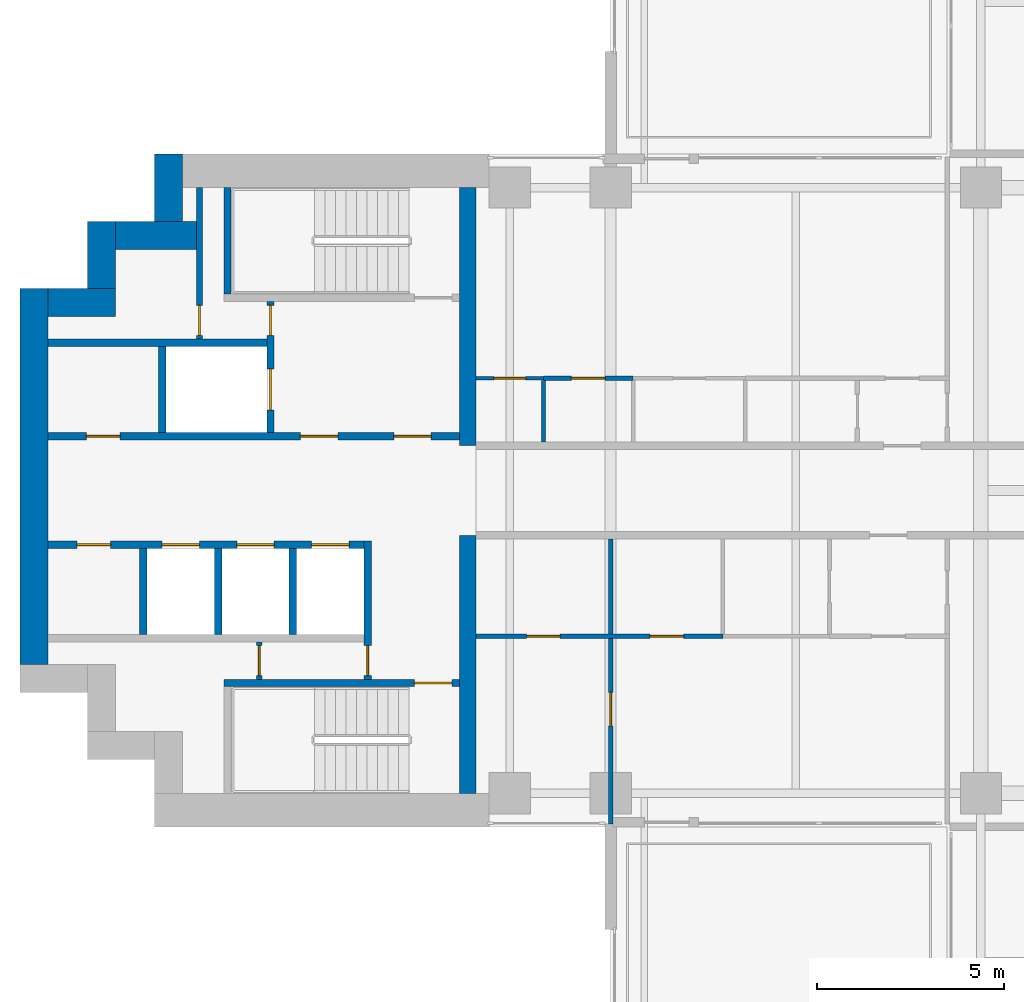
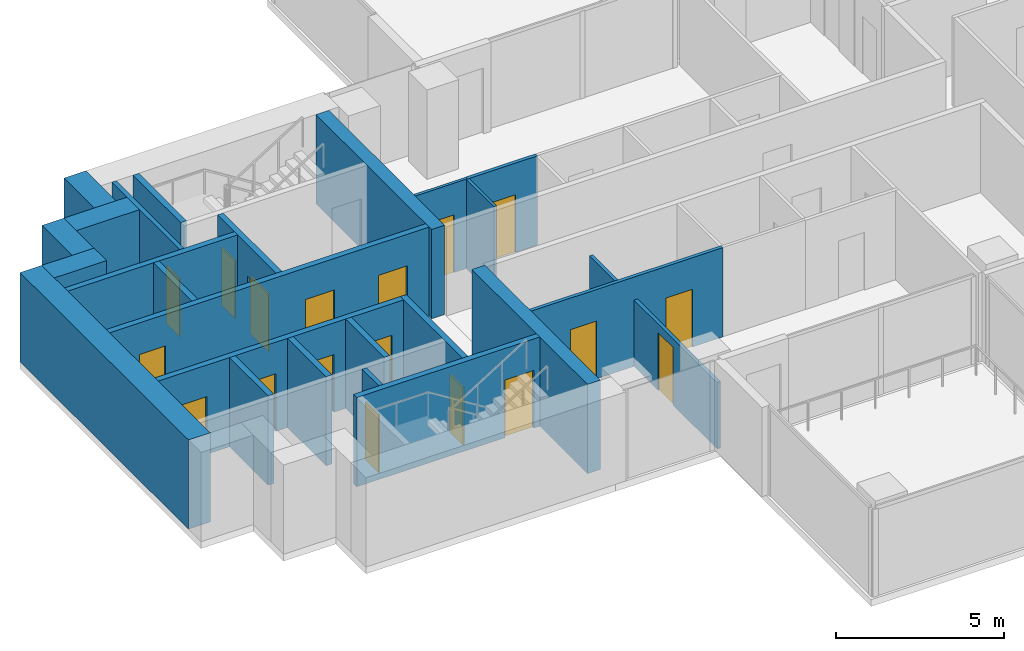
# One storey, part 9 of 18: 25 walls, 18 doors, 18 openings.
"""IFC4 building model written with IfcOpenShell, lengths in metres."""

import ifcopenshell
import ifcopenshell.guid

model = None  # the IFC model being written
_history = None  # IfcOwnerHistory: only IFC2X3 demands one
_inside = {}  # id of a spatial element -> (the spatial element, [elements in it])
_under = {}  # id of a project, library or spatial element -> (it, [spatial elements below it])
_declared = {}  # id of a project -> (the project, [libraries it declares])
_typed = {}  # id of a type object -> (the type object, [elements of that type])
_made_of = {}  # id of a material, layer set ... -> (it, [elements and type objects made of it])


def new_model(schema):
    """Start an empty IFC model of exactly this schema.

    Asked for "IFC4X3", IfcOpenShell would pick the latest addendum, in which some entities
    have other attributes; the version numbers below select the first issue.
    IFC2X3 requires an IfcOwnerHistory on every rooted entity: one is made here for all.
    """
    global model, _history
    if schema == "IFC4X3":
        model = ifcopenshell.file(schema_version=(4, 3, 0, 0))
    else:
        model = ifcopenshell.file(schema=schema)
    _inside.clear()
    _under.clear()
    _declared.clear()
    _typed.clear()
    _made_of.clear()
    _history = None
    if model.schema == "IFC2X3":
        org = make("IfcOrganization", Name="unknown")
        user = make(
            "IfcPersonAndOrganization",
            ThePerson=make("IfcPerson", FamilyName="unknown"),
            TheOrganization=org,
        )
        app = make(
            "IfcApplication",
            ApplicationDeveloper=org,
            Version="unknown",
            ApplicationFullName="unknown",
            ApplicationIdentifier="unknown",
        )
        _history = make(
            "IfcOwnerHistory",
            OwningUser=user,
            OwningApplication=app,
            ChangeAction="ADDED",
            CreationDate=0,
        )
    return model


def make(cls, **values):
    """One entity of the class cls with the attributes given. An attribute that is None is left unset."""
    return model.create_entity(
        cls, **{name: value for name, value in values.items() if value is not None}
    )


def rooted(cls, **values):
    """An entity with a GlobalId (a new one), such as an element, a storey or a relation."""
    return make(cls, GlobalId=ifcopenshell.guid.new(), OwnerHistory=_history, **values)


def si_unit(unit_type, name, prefix=None):
    """IfcSIUnit, for example si_unit("LENGTHUNIT", "METRE", prefix="MILLI")."""
    return make("IfcSIUnit", UnitType=unit_type, Prefix=prefix, Name=name)


def assignment(units):
    """IfcUnitAssignment: the units of a project."""
    return None if units is None else make("IfcUnitAssignment", Units=units)


def point(xyz):
    """IfcCartesianPoint."""
    return None if xyz is None else make("IfcCartesianPoint", Coordinates=xyz)


def direction(xyz):
    """IfcDirection."""
    return None if xyz is None else make("IfcDirection", DirectionRatios=xyz)


def frame(location, z_axis=None, x_axis=None):
    """IfcAxis2Placement3D, a coordinate frame: its origin and axes. An axis left out is left unset."""
    return make(
        "IfcAxis2Placement3D",
        Location=point(location),
        Axis=direction(z_axis),
        RefDirection=direction(x_axis),
    )


def frame_2d(location, x_axis=None):
    """IfcAxis2Placement2D, a coordinate frame in the plane: its origin and x axis."""
    return make(
        "IfcAxis2Placement2D", Location=point(location), RefDirection=direction(x_axis)
    )


def origin():
    """The frame at (0, 0, 0) with its axes left unset."""
    return frame((0.0, 0.0, 0.0))


def place(relative_to, where):
    """IfcLocalPlacement: puts the frame where relative to a parent placement (None: the world)."""
    return make(
        "IfcLocalPlacement", PlacementRelTo=relative_to, RelativePlacement=where
    )


def context(
    kind, dimensions, precision=None, world=None, true_north=None, identifier=None
):
    """IfcGeometricRepresentationContext, for example the 3D "Model" context."""
    return make(
        "IfcGeometricRepresentationContext",
        ContextIdentifier=identifier,
        ContextType=kind,
        CoordinateSpaceDimension=dimensions,
        Precision=precision,
        WorldCoordinateSystem=world,
        TrueNorth=true_north,
    )


def subcontext(parent, identifier, kind, view, scale=None):
    """IfcGeometricRepresentationSubContext, for example "Body" below "Model"."""
    return make(
        "IfcGeometricRepresentationSubContext",
        ContextIdentifier=identifier,
        ContextType=kind,
        ParentContext=parent,
        TargetScale=scale,
        TargetView=view,
    )


def project(units=None, contexts=None):
    """IfcProject with its units and contexts."""
    return rooted(
        "IfcProject",
        Name="project",
        RepresentationContexts=contexts,
        UnitsInContext=assignment(units),
    )


def spatial(cls, under=None, at=None, **own):
    """A site, building, storey or space (cls), placed at a placement, below another one or the project."""
    s = rooted(cls, ObjectPlacement=at, **own)
    if under is not None:
        _under.setdefault(under.id(), (under, []))[1].append(s)
    return s


def profile(cls, at=None, kind="AREA", **sizes):
    """A parametric profile (cls). Its sizes go by their IFC names, for example OverallWidth=200.0."""
    return make(cls, ProfileType=kind, Position=at, **sizes)


def rectangle(**sizes):
    """IfcRectangleProfileDef."""
    return profile("IfcRectangleProfileDef", **sizes)


def extrude(swept, where, along, depth):
    """IfcExtrudedAreaSolid: the profile swept, set in the frame where, extruded along a direction by depth."""
    return make(
        "IfcExtrudedAreaSolid",
        SweptArea=swept,
        Position=where,
        ExtrudedDirection=direction(along),
        Depth=depth,
    )


def shape(context_of_items, identifier, shape_type, items):
    """IfcShapeRepresentation: the items that make up one representation, for example the "Body"."""
    return make(
        "IfcShapeRepresentation",
        ContextOfItems=context_of_items,
        RepresentationIdentifier=identifier,
        RepresentationType=shape_type,
        Items=items,
    )


def material(Name=None, Category=None):
    """IfcMaterial."""
    return make("IfcMaterial", Name=Name, Category=Category)


def layer(
    of_material, thickness, ventilated=None, Name=None, Category=None, Priority=None
):
    """IfcMaterialLayer: one layer of a wall or slab, of a material (None: an air gap)."""
    return make(
        "IfcMaterialLayer",
        Material=of_material,
        LayerThickness=thickness,
        IsVentilated=ventilated,
        Name=Name,
        Category=Category,
        Priority=Priority,
    )


def layer_set(layers, Name=None):
    """IfcMaterialLayerSet."""
    return make("IfcMaterialLayerSet", MaterialLayers=layers, LayerSetName=Name)


def made_of(thing, what):
    """Note that an element or type object is made of a material, layer set ...; save() writes the relation."""
    if what is not None:
        _made_of.setdefault(what.id(), (what, []))[1].append(thing)
    return thing


def type_object(cls, material=None, **own):
    """A type object (cls), such as IfcWallType, which elements share."""
    return made_of(rooted(cls, **own), material)


def element(
    cls,
    number,
    at=None,
    inside=None,
    cuts=None,
    type_object=None,
    material=None,
    context=None,
    identifier="Body",
    shape_type=None,
    held_by="IfcProductDefinitionShape",
    body=None,
    shapes=None,
    **own,
):
    """One element of the class cls, such as IfcWall. Its Tag is "e" and its number.

    at: its placement. inside: the storey or other place that contains it. cuts: it is an
    opening in that element (IfcRelVoidsElement). A single representation is given by context,
    identifier, shape_type and body (its items); several are given by shapes. held_by: the class
    of the entity that holds the representations. save() writes the other relations.
    """
    e = rooted(cls, Tag="e%d" % number, ObjectPlacement=at, **own)
    if body is not None:
        shapes = [shape(context, identifier, shape_type, body)]
    if shapes is not None:
        e.Representation = make(held_by, Representations=shapes)
    if inside is not None:
        _inside.setdefault(inside.id(), (inside, []))[1].append(e)
    if cuts is not None:
        rooted(
            "IfcRelVoidsElement", RelatingBuildingElement=cuts, RelatedOpeningElement=e
        )
    if type_object is not None:
        _typed.setdefault(type_object.id(), (type_object, []))[1].append(e)
    return made_of(e, material)


def fill(opening, filler):
    """IfcRelFillsElement: the door or window that sits in an opening."""
    return rooted(
        "IfcRelFillsElement",
        RelatingOpeningElement=opening,
        RelatedBuildingElement=filler,
    )


def aggregate(whole, parts):
    """IfcRelAggregates: a whole, such as a stair, and the parts it consists of."""
    return rooted("IfcRelAggregates", RelatingObject=whole, RelatedObjects=parts)


def save(model, path):
    """Write the relations noted so far, then the file.

    IfcRelAggregates (storeys below a building ...), IfcRelContainedInSpatialStructure (elements
    in a storey), IfcRelDefinesByType, IfcRelAssociatesMaterial and IfcRelDeclares: one each for
    every whole, place, type object, material and project.
    """
    for whole, parts in _under.values():
        aggregate(whole, parts)
    for where, things in _inside.values():
        rooted(
            "IfcRelContainedInSpatialStructure",
            RelatedElements=things,
            RelatingStructure=where,
        )
    for kind, things in _typed.values():
        rooted("IfcRelDefinesByType", RelatedObjects=things, RelatingType=kind)
    for what, things in _made_of.values():
        rooted("IfcRelAssociatesMaterial", RelatedObjects=things, RelatingMaterial=what)
    for by, libraries in _declared.values():
        rooted("IfcRelDeclares", RelatingContext=by, RelatedDefinitions=libraries)
    model.write(path)


model = new_model("IFC4")

# Units and contexts
model_context = context("Model", 3, precision=1e-05, world=origin(), true_north=direction((0.0, 1.0)))
body_context = subcontext(model_context, "Body", "Model", "MODEL_VIEW")
ifc_project = project(units=[si_unit("LENGTHUNIT", "METRE"), si_unit("AREAUNIT", "SQUARE_METRE"), si_unit("VOLUMEUNIT", "CUBIC_METRE"), si_unit("PLANEANGLEUNIT", "RADIAN"), si_unit("MASSUNIT", "GRAM", prefix="KILO")], contexts=[model_context])

# Site, building, storey
site_placement = place(None, origin())
site = spatial("IfcSite", under=ifc_project, at=site_placement, CompositionType="ELEMENT")
building_placement = place(site_placement, origin())
building = spatial("IfcBuilding", under=site, at=building_placement, Name="Perihelion Cross Residences", CompositionType="ELEMENT")
storey_placement = place(building_placement, frame((0.0, 0.0, 130.39990234375)))
storey = spatial("IfcBuildingStorey", under=building, at=storey_placement, Name="L31", CompositionType="ELEMENT", Elevation=130.39990234375)

# Walls
ifc_material_1 = material(Name="Concrete C60/75", Category="concrete")
ifc_layer_1 = layer(ifc_material_1, 0.449951171875)
ifc_layer_set_1 = layer_set([ifc_layer_1], Name="Core wall, inner 450")
wall_type_1 = type_object("IfcWallType", Name="Core wall, inner 450", PredefinedType="SHEAR", material=ifc_layer_set_1)
for number, where, z_axis, x_axis, name in (
    (1, (-21.824951171875, -8.10009765625, 0.0), (0.0, 0.0, 1.0), (0.0, 1.0, 0.0), "West core core wall, inner"),
    (2, (-21.824951171875, 1.199951171875, 0.0), (0.0, 0.0, 1.0), (0.0, 1.0, 0.0), "West core core wall, inner"),
):
    element("IfcWall", number, at=place(storey_placement, frame(where, z_axis=z_axis, x_axis=x_axis)), inside=storey, type_object=wall_type_1, Name=name, PredefinedType="SHEAR", context=body_context, shape_type="SweptSolid", body=[
        extrude(rectangle(XDim=6.900146484375, YDim=0.449951171875, at=frame_2d((3.4501953125, 0.0))), origin(), (0.0, 0.0, 1.0), 3.25),
    ])
ifc_material_2 = material(Name="Concrete C60/75", Category="concrete")
ifc_layer_2 = layer(ifc_material_2, 0.75)
ifc_layer_set_2 = layer_set([ifc_layer_2], Name="Core wall, outer 750")
wall_type_2 = type_object("IfcWallType", Name="Core wall, outer 750", PredefinedType="SHEAR", material=ifc_layer_set_2)
wall_1_placement = place(storey_placement, frame((-33.425048828125, -4.64990234375, 0.0), z_axis=(0.0, 0.0, 1.0), x_axis=(0.0, 1.0, 0.0)))
element("IfcWall", 3, at=wall_1_placement, inside=storey, type_object=wall_type_2, Name="West core core wall, outer", PredefinedType="SHEAR", context=body_context, shape_type="SweptSolid", body=[
    extrude(rectangle(XDim=10.0498046875, YDim=0.75, at=frame_2d((5.02490234375, 0.0))), origin(), (0.0, 0.0, 1.0), 3.25),
])
for number, where, z_axis, x_axis, name in (
    (4, (-33.050048828125, 5.02490234375, 0.0), (0.0, 0.0, 1.0), (1.0, 0.0, 0.0), "West core core wall, outer"),
    (5, (-31.625, 5.39990234375, 0.0), (0.0, 0.0, 1.0), (0.0, 1.0, 0.0), "West core core wall, outer"),
):
    element("IfcWall", number, at=place(storey_placement, frame(where, z_axis=z_axis, x_axis=x_axis)), inside=storey, type_object=wall_type_2, Name=name, PredefinedType="SHEAR", context=body_context, shape_type="SweptSolid", body=[
        extrude(rectangle(XDim=1.800048828125, YDim=0.75, at=frame_2d((0.89990234375, 0.0))), origin(), (0.0, 0.0, 1.0), 3.25),
    ])
wall_2_placement = place(storey_placement, frame((-31.25, 6.824951171875, 0.0), z_axis=(0.0, 0.0, 1.0), x_axis=(1.0, 0.0, 0.0)))
element("IfcWall", 6, at=wall_2_placement, inside=storey, type_object=wall_type_2, Name="West core core wall, outer", PredefinedType="SHEAR", context=body_context, shape_type="SweptSolid", body=[
    extrude(rectangle(XDim=2.175048828125, YDim=0.75, at=frame_2d((1.08740234375, 0.0))), origin(), (0.0, 0.0, 1.0), 3.25),
])
wall_3_placement = place(storey_placement, frame((-29.824951171875, 7.199951171875, 0.0), z_axis=(0.0, 0.0, 1.0), x_axis=(0.0, 1.0, 0.0)))
element("IfcWall", 7, at=wall_3_placement, inside=storey, type_object=wall_type_2, Name="West core core wall, outer", PredefinedType="SHEAR", context=body_context, shape_type="SweptSolid", body=[
    extrude(rectangle(XDim=1.800048828125, YDim=0.75, at=frame_2d((0.89990234375, 0.0))), origin(), (0.0, 0.0, 1.0), 3.25),
])

# Wall, opening, door
ifc_material_3 = material(Name="Concrete C50/60", Category="concrete")
ifc_layer_3 = layer(ifc_material_3, 0.199951171875)
ifc_layer_set_3 = layer_set([ifc_layer_3], Name="Lobby wall 200")
wall_type_3 = type_object("IfcWallType", Name="Lobby wall 200", PredefinedType="SOLIDWALL", material=ifc_layer_set_3)
wall_4_placement = place(storey_placement, frame((-24.5, -5.050048828125, 0.0), z_axis=(0.0, 0.0, 1.0), x_axis=(0.0, 1.0, 0.0)))
wall_4 = element("IfcWall", 8, at=wall_4_placement, inside=storey, type_object=wall_type_3, Name="West core lobby wall", PredefinedType="SOLIDWALL", context=body_context, shape_type="SweptSolid", body=[
    extrude(rectangle(XDim=3.699951171875, YDim=0.199951171875, at=frame_2d((1.85009765625, 0.0))), origin(), (0.0, 0.0, 1.0), 3.25),
])
opening_1_placement = place(wall_4_placement, frame((0.10009765625, 0.0, 0.0)))
opening_1 = element("IfcOpeningElement", 9, at=opening_1_placement, cuts=wall_4, Name="Opening L31.C22", PredefinedType="OPENING", context=body_context, shape_type="SweptSolid", body=[
    extrude(rectangle(XDim=0.800048828125, YDim=2.10009765625, at=frame_2d((0.39990234375, 1.050048828125))), frame((0.0, 0.10986328125, 0.0), z_axis=(0.0, -1.0, 0.0), x_axis=(1.0, 0.0, 0.0)), (0.0, 0.0, 1.0), 0.219970703125),
])
ifc_material_4 = material(Name="Steel, powder coated", Category="steel")
door_type_1 = type_object("IfcDoorType", Name="Riser door 800", OperationType="SINGLE_SWING_LEFT", PredefinedType="DOOR", material=ifc_material_4)
door_1_placement = place(opening_1_placement, origin())
door_1 = element("IfcDoor", 10, at=door_1_placement, inside=storey, type_object=door_type_1, Name="West core riser door", OperationType="SINGLE_SWING_LEFT", OverallHeight=2.10009765625, OverallWidth=0.800048828125, PredefinedType="DOOR", context=body_context, shape_type="SweptSolid", body=[
    extrude(rectangle(XDim=0.800048828125, YDim=2.10009765625, at=frame_2d((0.39990234375, 1.050048828125))), frame((0.0, 0.02490234375, 0.0), z_axis=(0.0, -1.0, 0.0), x_axis=(1.0, 0.0, 0.0)), (0.0, 0.0, 1.0), 0.050048828125),
])
fill(opening_1, door_1)

ifc_material_5 = material(Name="Plasterboard partition")
ifc_layer_4 = layer(ifc_material_5, 0.1201171875)
ifc_layer_set_4 = layer_set([ifc_layer_4], Name="Partition wall 120")
wall_type_4 = type_object("IfcWallType", Name="Partition wall 120", PredefinedType="PARTITIONING", material=ifc_layer_set_4)
wall_5_placement = place(storey_placement, frame((-19.800048828125, 3.0, 0.0), z_axis=(0.0, 0.0, 1.0), x_axis=(1.0, 0.0, 0.0)))
wall_5 = element("IfcWall", 11, at=wall_5_placement, inside=storey, type_object=wall_type_4, Name="Partition L31 W048", PredefinedType="PARTITIONING", context=body_context, shape_type="SweptSolid", body=[
    extrude(rectangle(XDim=2.400146484375, YDim=0.1201171875, at=frame_2d((1.2001953125, 0.0))), origin(), (0.0, 0.0, 1.0), 3.25),
])
opening_2_placement = place(wall_5_placement, frame((0.75, 0.0, 0.0)))
opening_2 = element("IfcOpeningElement", 12, at=opening_2_placement, cuts=wall_5, Name="Opening L31.A24", PredefinedType="OPENING", context=body_context, shape_type="SweptSolid", body=[
    extrude(rectangle(XDim=0.89990234375, YDim=2.10009765625, at=frame_2d((0.449951171875, 1.050048828125))), frame((0.0, 0.070068359375, 0.0), z_axis=(0.0, -1.0, 0.0), x_axis=(1.0, 0.0, 0.0)), (0.0, 0.0, 1.0), 0.14013671875),
])
ifc_material_6 = material(Name="Timber door leaf", Category="wood")
door_type_2 = type_object("IfcDoorType", Name="Interior room door 900 x 2100", OperationType="SINGLE_SWING_LEFT", PredefinedType="DOOR", material=ifc_material_6)
door_2_placement = place(opening_2_placement, origin())
door_2 = element("IfcDoor", 13, at=door_2_placement, inside=storey, type_object=door_type_2, Name="Door L31.A24", OperationType="SINGLE_SWING_LEFT", OverallHeight=2.10009765625, OverallWidth=0.89990234375, PredefinedType="DOOR", context=body_context, shape_type="SweptSolid", body=[
    extrude(rectangle(XDim=0.89990234375, YDim=2.10009765625, at=frame_2d((0.449951171875, 1.050048828125))), frame((0.0, 0.02490234375, 0.0), z_axis=(0.0, -1.0, 0.0), x_axis=(1.0, 0.0, 0.0)), (0.0, 0.0, 1.0), 0.050048828125),
])
fill(opening_2, door_2)

wall_6_placement = place(storey_placement, frame((-18.0, -8.919921875, 0.0), z_axis=(0.0, 0.0, 1.0), x_axis=(0.0, 1.0, 0.0)))
wall_6 = element("IfcWall", 14, at=wall_6_placement, inside=storey, type_object=wall_type_4, Name="Partition L31 W058", PredefinedType="PARTITIONING", context=body_context, shape_type="SweptSolid", body=[
    extrude(rectangle(XDim=7.619873046875, YDim=0.1201171875, at=frame_2d((3.81005859375, 0.0))), origin(), (0.0, 0.0, 1.0), 2.4140625),
])
opening_3_placement = place(wall_6_placement, frame((2.6201171875, 0.0, 0.0)))
opening_3 = element("IfcOpeningElement", 15, at=opening_3_placement, cuts=wall_6, Name="Opening L31.A29", PredefinedType="OPENING", context=body_context, shape_type="SweptSolid", body=[
    extrude(rectangle(XDim=0.89990234375, YDim=2.10009765625, at=frame_2d((0.449951171875, 1.050048828125))), frame((0.0, 0.070068359375, 0.0), z_axis=(0.0, -1.0, 0.0), x_axis=(1.0, 0.0, 0.0)), (0.0, 0.0, 1.0), 0.14013671875),
])
door_3_placement = place(opening_3_placement, origin())
door_3 = element("IfcDoor", 16, at=door_3_placement, inside=storey, type_object=door_type_2, Name="Door L31.A29", OperationType="SINGLE_SWING_RIGHT", OverallHeight=2.10009765625, OverallWidth=0.89990234375, PredefinedType="DOOR", context=body_context, shape_type="SweptSolid", body=[
    extrude(rectangle(XDim=0.89990234375, YDim=2.10009765625, at=frame_2d((0.449951171875, 1.050048828125))), frame((0.0, 0.02490234375, 0.0), z_axis=(0.0, -1.0, 0.0), x_axis=(1.0, 0.0, 0.0)), (0.0, 0.0, 1.0), 0.050048828125),
])
fill(opening_3, door_3)

# Wall, openings, doors
wall_7_placement = place(storey_placement, frame((-15.0, -3.89990234375, 0.0), z_axis=(0.0, 0.0, 1.0), x_axis=(-1.0, 0.0, 0.0)))
wall_7 = element("IfcWall", 17, at=wall_7_placement, inside=storey, type_object=wall_type_4, Name="Partition L31 W059", PredefinedType="PARTITIONING", context=body_context, shape_type="SweptSolid", body=[
    extrude(rectangle(XDim=6.60009765625, YDim=0.1201171875, at=frame_2d((3.300048828125, 0.0))), origin(), (0.0, 0.0, 1.0), 3.25),
])
opening_4_placement = place(wall_7_placement, frame((1.050048828125, 0.0, 0.0)))
opening_4 = element("IfcOpeningElement", 18, at=opening_4_placement, cuts=wall_7, Name="Opening L31.A26", PredefinedType="OPENING", context=body_context, shape_type="SweptSolid", body=[
    extrude(rectangle(XDim=0.89990234375, YDim=2.10009765625, at=frame_2d((0.449951171875, 1.050048828125))), frame((0.0, 0.070068359375, 0.0), z_axis=(0.0, -1.0, 0.0), x_axis=(1.0, 0.0, 0.0)), (0.0, 0.0, 1.0), 0.14013671875),
])
opening_5_placement = place(wall_7_placement, frame((4.35009765625, 0.0, 0.0)))
opening_5 = element("IfcOpeningElement", 19, at=opening_5_placement, cuts=wall_7, Name="Opening L31.A30", PredefinedType="OPENING", context=body_context, shape_type="SweptSolid", body=[
    extrude(rectangle(XDim=0.89990234375, YDim=2.10009765625, at=frame_2d((0.449951171875, 1.050048828125))), frame((0.0, 0.070068359375, 0.0), z_axis=(0.0, -1.0, 0.0), x_axis=(1.0, 0.0, 0.0)), (0.0, 0.0, 1.0), 0.14013671875),
])
door_4_placement = place(opening_4_placement, origin())
door_4 = element("IfcDoor", 20, at=door_4_placement, inside=storey, type_object=door_type_2, Name="Door L31.A26", OperationType="SINGLE_SWING_LEFT", OverallHeight=2.10009765625, OverallWidth=0.89990234375, PredefinedType="DOOR", context=body_context, shape_type="SweptSolid", body=[
    extrude(rectangle(XDim=0.89990234375, YDim=2.10009765625, at=frame_2d((0.449951171875, 1.050048828125))), frame((0.0, 0.02490234375, 0.0), z_axis=(0.0, -1.0, 0.0), x_axis=(1.0, 0.0, 0.0)), (0.0, 0.0, 1.0), 0.050048828125),
])
fill(opening_4, door_4)
door_5_placement = place(opening_5_placement, origin())
door_5 = element("IfcDoor", 21, at=door_5_placement, inside=storey, type_object=door_type_2, Name="Door L31.A30", OperationType="SINGLE_SWING_LEFT", OverallHeight=2.10009765625, OverallWidth=0.89990234375, PredefinedType="DOOR", context=body_context, shape_type="SweptSolid", body=[
    extrude(rectangle(XDim=0.89990234375, YDim=2.10009765625, at=frame_2d((0.449951171875, 1.050048828125))), frame((0.0, 0.02490234375, 0.0), z_axis=(0.0, -1.0, 0.0), x_axis=(1.0, 0.0, 0.0)), (0.0, 0.0, 1.0), 0.050048828125),
])
fill(opening_5, door_5)

# Wall, opening, door
ifc_material_7 = material(Name="Fire-rated board on steel stud", Category="steel")
ifc_layer_5 = layer(ifc_material_7, 0.14990234375)
ifc_layer_set_5 = layer_set([ifc_layer_5], Name="Riser wall 150")
wall_type_5 = type_object("IfcWallType", Name="Riser wall 150", PredefinedType="PARTITIONING", material=ifc_layer_set_5)
wall_8_placement = place(storey_placement, frame((-29.0, 4.050048828125, 0.0), z_axis=(0.0, 0.0, 1.0), x_axis=(0.0, 1.0, 0.0)))
wall_8 = element("IfcWall", 22, at=wall_8_placement, inside=storey, type_object=wall_type_5, Name="West core riser wall", PredefinedType="PARTITIONING", context=body_context, shape_type="SweptSolid", body=[
    extrude(rectangle(XDim=4.050048828125, YDim=0.14990234375, at=frame_2d((2.02490234375, 0.0))), origin(), (0.0, 0.0, 1.0), 3.25),
])
opening_6_placement = place(wall_8_placement, frame((0.10009765625, 0.0, 0.0)))
opening_6 = element("IfcOpeningElement", 23, at=opening_6_placement, cuts=wall_8, Name="Opening L31.C26", PredefinedType="OPENING", context=body_context, shape_type="SweptSolid", body=[
    extrude(rectangle(XDim=0.800048828125, YDim=2.10009765625, at=frame_2d((0.39990234375, 1.050048828125))), frame((0.0, 0.0849609375, 0.0), z_axis=(0.0, -1.0, 0.0), x_axis=(1.0, 0.0, 0.0)), (0.0, 0.0, 1.0), 0.169921875),
])
door_6_placement = place(opening_6_placement, origin())
door_6 = element("IfcDoor", 24, at=door_6_placement, inside=storey, type_object=door_type_1, Name="West core riser door", OperationType="SINGLE_SWING_LEFT", OverallHeight=2.10009765625, OverallWidth=0.800048828125, PredefinedType="DOOR", context=body_context, shape_type="SweptSolid", body=[
    extrude(rectangle(XDim=0.800048828125, YDim=2.10009765625, at=frame_2d((0.39990234375, 1.050048828125))), frame((0.0, 0.02490234375, 0.0), z_axis=(0.0, -1.0, 0.0), x_axis=(1.0, 0.0, 0.0)), (0.0, 0.0, 1.0), 0.050048828125),
])
fill(opening_6, door_6)

wall_9_placement = place(storey_placement, frame((-27.39990234375, -5.050048828125, 0.0), z_axis=(0.0, 0.0, 1.0), x_axis=(0.0, 1.0, 0.0)))
wall_9 = element("IfcWall", 25, at=wall_9_placement, inside=storey, type_object=wall_type_5, Name="West core riser wall", PredefinedType="PARTITIONING", context=body_context, shape_type="SweptSolid", body=[
    extrude(rectangle(XDim=1.0, YDim=0.14990234375, at=frame_2d((0.5, 0.0))), origin(), (0.0, 0.0, 1.0), 3.25),
])
opening_7_placement = place(wall_9_placement, frame((0.10009765625, 0.0, 0.0)))
opening_7 = element("IfcOpeningElement", 26, at=opening_7_placement, cuts=wall_9, Name="Opening L31.C25", PredefinedType="OPENING", context=body_context, shape_type="SweptSolid", body=[
    extrude(rectangle(XDim=0.800048828125, YDim=2.10009765625, at=frame_2d((0.39990234375, 1.050048828125))), frame((0.0, 0.0849609375, 0.0), z_axis=(0.0, -1.0, 0.0), x_axis=(1.0, 0.0, 0.0)), (0.0, 0.0, 1.0), 0.169921875),
])
door_7_placement = place(opening_7_placement, origin())
door_7 = element("IfcDoor", 27, at=door_7_placement, inside=storey, type_object=door_type_1, Name="West core riser door", OperationType="SINGLE_SWING_LEFT", OverallHeight=2.10009765625, OverallWidth=0.800048828125, PredefinedType="DOOR", context=body_context, shape_type="SweptSolid", body=[
    extrude(rectangle(XDim=0.800048828125, YDim=2.10009765625, at=frame_2d((0.39990234375, 1.050048828125))), frame((0.0, 0.02490234375, 0.0), z_axis=(0.0, -1.0, 0.0), x_axis=(1.0, 0.0, 0.0)), (0.0, 0.0, 1.0), 0.050048828125),
])
fill(opening_7, door_7)

# Wall, openings, doors
ifc_material_8 = material(Name="Concrete C50/60", Category="concrete")
ifc_layer_6 = layer(ifc_material_8, 0.199951171875)
ifc_layer_set_6 = layer_set([ifc_layer_6], Name="Shaft wall 200")
wall_type_6 = type_object("IfcWallType", Name="Shaft wall 200", PredefinedType="SOLIDWALL", material=ifc_layer_set_6)
wall_10_placement = place(storey_placement, frame((-33.050048828125, 1.449951171875, 0.0), z_axis=(0.0, 0.0, 1.0), x_axis=(1.0, 0.0, 0.0)))
wall_10 = element("IfcWall", 28, at=wall_10_placement, inside=storey, type_object=wall_type_6, Name="West core shaft wall", PredefinedType="SOLIDWALL", context=body_context, shape_type="SweptSolid", body=[
    extrude(rectangle(XDim=11.0, YDim=0.199951171875, at=frame_2d((5.5, 0.0))), origin(), (0.0, 0.0, 1.0), 3.25),
])
opening_8_placement = place(wall_10_placement, frame((9.25, 0.0, 0.0)))
opening_8 = element("IfcOpeningElement", 29, at=opening_8_placement, cuts=wall_10, Name="Opening L31.C21", PredefinedType="OPENING", context=body_context, shape_type="SweptSolid", body=[
    extrude(rectangle(XDim=1.0, YDim=2.10009765625, at=frame_2d((0.5, 1.050048828125))), frame((0.0, 0.10986328125, 0.0), z_axis=(0.0, -1.0, 0.0), x_axis=(1.0, 0.0, 0.0)), (0.0, 0.0, 1.0), 0.219970703125),
])
opening_9_placement = place(wall_10_placement, frame((6.75, 0.0, 0.0)))
opening_9 = element("IfcOpeningElement", 30, at=opening_9_placement, cuts=wall_10, Name="Opening L31.C23", PredefinedType="OPENING", context=body_context, shape_type="SweptSolid", body=[
    extrude(rectangle(XDim=1.0, YDim=2.10009765625, at=frame_2d((0.5, 1.050048828125))), frame((0.0, 0.10986328125, 0.0), z_axis=(0.0, -1.0, 0.0), x_axis=(1.0, 0.0, 0.0)), (0.0, 0.0, 1.0), 0.219970703125),
])
opening_10_placement = place(wall_10_placement, frame((1.02490234375, 0.0, 0.0)))
opening_10 = element("IfcOpeningElement", 31, at=opening_10_placement, cuts=wall_10, Name="Opening L31.C27", PredefinedType="OPENING", context=body_context, shape_type="SweptSolid", body=[
    extrude(rectangle(XDim=0.89990234375, YDim=2.10009765625, at=frame_2d((0.449951171875, 1.050048828125))), frame((0.0, 0.10986328125, 0.0), z_axis=(0.0, -1.0, 0.0), x_axis=(1.0, 0.0, 0.0)), (0.0, 0.0, 1.0), 0.219970703125),
])
ifc_material_9 = material(Name="Steel, powder coated", Category="steel")
door_type_3 = type_object("IfcDoorType", Name="Lobby door 1000", OperationType="SINGLE_SWING_LEFT", PredefinedType="DOOR", material=ifc_material_9)
door_8_placement = place(opening_8_placement, origin())
door_8 = element("IfcDoor", 32, at=door_8_placement, inside=storey, type_object=door_type_3, Name="West core firefighting lobby door", OperationType="SINGLE_SWING_LEFT", OverallHeight=2.10009765625, OverallWidth=1.0, PredefinedType="DOOR", context=body_context, shape_type="SweptSolid", body=[
    extrude(rectangle(XDim=1.0, YDim=2.10009765625, at=frame_2d((0.5, 1.050048828125))), frame((0.0, 0.02490234375, 0.0), z_axis=(0.0, -1.0, 0.0), x_axis=(1.0, 0.0, 0.0)), (0.0, 0.0, 1.0), 0.050048828125),
])
fill(opening_8, door_8)
door_9_placement = place(opening_9_placement, origin())
door_9 = element("IfcDoor", 33, at=door_9_placement, inside=storey, type_object=door_type_3, Name="West core firefighting lobby door", OperationType="SINGLE_SWING_LEFT", OverallHeight=2.10009765625, OverallWidth=1.0, PredefinedType="DOOR", context=body_context, shape_type="SweptSolid", body=[
    extrude(rectangle(XDim=1.0, YDim=2.10009765625, at=frame_2d((0.5, 1.050048828125))), frame((0.0, 0.02490234375, 0.0), z_axis=(0.0, -1.0, 0.0), x_axis=(1.0, 0.0, 0.0)), (0.0, 0.0, 1.0), 0.050048828125),
])
fill(opening_9, door_9)
ifc_material_10 = material(Name="Steel, powder coated", Category="steel")
door_type_4 = type_object("IfcDoorType", Name="Service room door 900", OperationType="SINGLE_SWING_LEFT", PredefinedType="DOOR", material=ifc_material_10)
door_10_placement = place(opening_10_placement, origin())
door_10 = element("IfcDoor", 34, at=door_10_placement, inside=storey, type_object=door_type_4, Name="West core service room door", OperationType="SINGLE_SWING_LEFT", OverallHeight=2.10009765625, OverallWidth=0.89990234375, PredefinedType="DOOR", context=body_context, shape_type="SweptSolid", body=[
    extrude(rectangle(XDim=0.89990234375, YDim=2.10009765625, at=frame_2d((0.449951171875, 1.050048828125))), frame((0.0, 0.02490234375, 0.0), z_axis=(0.0, -1.0, 0.0), x_axis=(1.0, 0.0, 0.0)), (0.0, 0.0, 1.0), 0.050048828125),
])
fill(opening_10, door_10)

wall_11_placement = place(storey_placement, frame((-33.050048828125, -1.449951171875, 0.0), z_axis=(0.0, 0.0, 1.0), x_axis=(1.0, 0.0, 0.0)))
wall_11 = element("IfcWall", 35, at=wall_11_placement, inside=storey, type_object=wall_type_6, Name="West core shaft wall", PredefinedType="SOLIDWALL", context=body_context, shape_type="SweptSolid", body=[
    extrude(rectangle(XDim=8.449951171875, YDim=0.199951171875, at=frame_2d((4.22509765625, 0.0))), origin(), (0.0, 0.0, 1.0), 3.25),
])
opening_11_placement = place(wall_11_placement, frame((7.050048828125, 0.0, 0.0)))
opening_11 = element("IfcOpeningElement", 36, at=opening_11_placement, cuts=wall_11, Name="Opening L31.C15", PredefinedType="OPENING", context=body_context, shape_type="SweptSolid", body=[
    extrude(rectangle(XDim=1.0, YDim=2.10009765625, at=frame_2d((0.5, 1.050048828125))), frame((0.0, 0.10986328125, 0.0), z_axis=(0.0, -1.0, 0.0), x_axis=(1.0, 0.0, 0.0)), (0.0, 0.0, 1.0), 0.219970703125),
])
opening_12_placement = place(wall_11_placement, frame((5.050048828125, 0.0, 0.0)))
opening_12 = element("IfcOpeningElement", 37, at=opening_12_placement, cuts=wall_11, Name="Opening L31.C17", PredefinedType="OPENING", context=body_context, shape_type="SweptSolid", body=[
    extrude(rectangle(XDim=1.0, YDim=2.10009765625, at=frame_2d((0.5, 1.050048828125))), frame((0.0, 0.10986328125, 0.0), z_axis=(0.0, -1.0, 0.0), x_axis=(1.0, 0.0, 0.0)), (0.0, 0.0, 1.0), 0.219970703125),
])
opening_13_placement = place(wall_11_placement, frame((3.050048828125, 0.0, 0.0)))
opening_13 = element("IfcOpeningElement", 38, at=opening_13_placement, cuts=wall_11, Name="Opening L31.C18", PredefinedType="OPENING", context=body_context, shape_type="SweptSolid", body=[
    extrude(rectangle(XDim=1.0, YDim=2.10009765625, at=frame_2d((0.5, 1.050048828125))), frame((0.0, 0.10986328125, 0.0), z_axis=(0.0, -1.0, 0.0), x_axis=(1.0, 0.0, 0.0)), (0.0, 0.0, 1.0), 0.219970703125),
])
opening_14_placement = place(wall_11_placement, frame((0.77490234375, 0.0, 0.0)))
opening_14 = element("IfcOpeningElement", 39, at=opening_14_placement, cuts=wall_11, Name="Opening L31.C28", PredefinedType="OPENING", context=body_context, shape_type="SweptSolid", body=[
    extrude(rectangle(XDim=0.89990234375, YDim=2.10009765625, at=frame_2d((0.449951171875, 1.050048828125))), frame((0.0, 0.10986328125, 0.0), z_axis=(0.0, -1.0, 0.0), x_axis=(1.0, 0.0, 0.0)), (0.0, 0.0, 1.0), 0.219970703125),
])
ifc_material_11 = material(Name="Stainless steel", Category="steel")
door_type_5 = type_object("IfcDoorType", Name="Landing door 1000", OperationType="DOUBLE_DOOR_SLIDING", PredefinedType="DOOR", material=ifc_material_11)
door_11_placement = place(opening_11_placement, origin())
door_11 = element("IfcDoor", 40, at=door_11_placement, inside=storey, type_object=door_type_5, Name="Landing door, West core high-rise lift 1", OperationType="DOUBLE_DOOR_SLIDING", OverallHeight=2.10009765625, OverallWidth=1.0, PredefinedType="DOOR", context=body_context, shape_type="SweptSolid", body=[
    extrude(rectangle(XDim=1.0, YDim=2.10009765625, at=frame_2d((0.5, 1.050048828125))), frame((0.0, 0.02490234375, 0.0), z_axis=(0.0, -1.0, 0.0), x_axis=(1.0, 0.0, 0.0)), (0.0, 0.0, 1.0), 0.050048828125),
])
fill(opening_11, door_11)
door_12_placement = place(opening_12_placement, origin())
door_12 = element("IfcDoor", 41, at=door_12_placement, inside=storey, type_object=door_type_5, Name="Landing door, West core high-rise lift 2", OperationType="DOUBLE_DOOR_SLIDING", OverallHeight=2.10009765625, OverallWidth=1.0, PredefinedType="DOOR", context=body_context, shape_type="SweptSolid", body=[
    extrude(rectangle(XDim=1.0, YDim=2.10009765625, at=frame_2d((0.5, 1.050048828125))), frame((0.0, 0.02490234375, 0.0), z_axis=(0.0, -1.0, 0.0), x_axis=(1.0, 0.0, 0.0)), (0.0, 0.0, 1.0), 0.050048828125),
])
fill(opening_12, door_12)
door_13_placement = place(opening_13_placement, origin())
door_13 = element("IfcDoor", 42, at=door_13_placement, inside=storey, type_object=door_type_5, Name="Landing door, West core high-rise lift 3", OperationType="DOUBLE_DOOR_SLIDING", OverallHeight=2.10009765625, OverallWidth=1.0, PredefinedType="DOOR", context=body_context, shape_type="SweptSolid", body=[
    extrude(rectangle(XDim=1.0, YDim=2.10009765625, at=frame_2d((0.5, 1.050048828125))), frame((0.0, 0.02490234375, 0.0), z_axis=(0.0, -1.0, 0.0), x_axis=(1.0, 0.0, 0.0)), (0.0, 0.0, 1.0), 0.050048828125),
])
fill(opening_13, door_13)
door_14_placement = place(opening_14_placement, origin())
door_14 = element("IfcDoor", 43, at=door_14_placement, inside=storey, type_object=door_type_4, Name="West core service room door", OperationType="SINGLE_SWING_LEFT", OverallHeight=2.10009765625, OverallWidth=0.89990234375, PredefinedType="DOOR", context=body_context, shape_type="SweptSolid", body=[
    extrude(rectangle(XDim=0.89990234375, YDim=2.10009765625, at=frame_2d((0.449951171875, 1.050048828125))), frame((0.0, 0.02490234375, 0.0), z_axis=(0.0, -1.0, 0.0), x_axis=(1.0, 0.0, 0.0)), (0.0, 0.0, 1.0), 0.050048828125),
])
fill(opening_14, door_14)

# Wall
wall_12_placement = place(storey_placement, frame((-33.050048828125, 3.949951171875, 0.0), z_axis=(0.0, 0.0, 1.0), x_axis=(1.0, 0.0, 0.0)))
element("IfcWall", 44, at=wall_12_placement, inside=storey, type_object=wall_type_6, Name="West core shaft wall", PredefinedType="SOLIDWALL", context=body_context, shape_type="SweptSolid", body=[
    extrude(rectangle(XDim=5.85009765625, YDim=0.199951171875, at=frame_2d((2.925048828125, 0.0))), origin(), (0.0, 0.0, 1.0), 3.25),
])

# Wall, openings, doors
wall_13_placement = place(storey_placement, frame((-27.10009765625, 1.550048828125, 0.0), z_axis=(0.0, 0.0, 1.0), x_axis=(0.0, 1.0, 0.0)))
wall_13 = element("IfcWall", 45, at=wall_13_placement, inside=storey, type_object=wall_type_6, Name="West core shaft wall", PredefinedType="SOLIDWALL", context=body_context, shape_type="SweptSolid", body=[
    extrude(rectangle(XDim=3.5, YDim=0.199951171875, at=frame_2d((1.75, 0.0))), origin(), (0.0, 0.0, 1.0), 3.25),
])
opening_15_placement = place(wall_13_placement, frame((0.60009765625, 0.0, 0.0)))
opening_15 = element("IfcOpeningElement", 46, at=opening_15_placement, cuts=wall_13, Name="Opening L31.C16", PredefinedType="OPENING", context=body_context, shape_type="SweptSolid", body=[
    extrude(rectangle(XDim=1.10009765625, YDim=2.10009765625, at=frame_2d((0.550048828125, 1.050048828125))), frame((0.0, 0.10986328125, 0.0), z_axis=(0.0, -1.0, 0.0), x_axis=(1.0, 0.0, 0.0)), (0.0, 0.0, 1.0), 0.219970703125),
])
opening_16_placement = place(wall_13_placement, frame((2.60009765625, 0.0, 0.0)))
opening_16 = element("IfcOpeningElement", 47, at=opening_16_placement, cuts=wall_13, Name="Opening L31.C24", PredefinedType="OPENING", context=body_context, shape_type="SweptSolid", body=[
    extrude(rectangle(XDim=0.800048828125, YDim=2.10009765625, at=frame_2d((0.39990234375, 1.050048828125))), frame((0.0, 0.10986328125, 0.0), z_axis=(0.0, -1.0, 0.0), x_axis=(1.0, 0.0, 0.0)), (0.0, 0.0, 1.0), 0.219970703125),
])
ifc_material_12 = material(Name="Stainless steel", Category="steel")
door_type_6 = type_object("IfcDoorType", Name="Landing door, firefighting lift 1100", OperationType="DOUBLE_DOOR_SLIDING", PredefinedType="DOOR", material=ifc_material_12)
door_15_placement = place(opening_15_placement, origin())
door_15 = element("IfcDoor", 48, at=door_15_placement, inside=storey, type_object=door_type_6, Name="Landing door, West core firefighting and service lift", OperationType="DOUBLE_DOOR_SLIDING", OverallHeight=2.10009765625, OverallWidth=1.10009765625, PredefinedType="DOOR", context=body_context, shape_type="SweptSolid", body=[
    extrude(rectangle(XDim=1.10009765625, YDim=2.10009765625, at=frame_2d((0.550048828125, 1.050048828125))), frame((0.0, 0.02490234375, 0.0), z_axis=(0.0, -1.0, 0.0), x_axis=(1.0, 0.0, 0.0)), (0.0, 0.0, 1.0), 0.050048828125),
])
fill(opening_15, door_15)
door_16_placement = place(opening_16_placement, origin())
door_16 = element("IfcDoor", 49, at=door_16_placement, inside=storey, type_object=door_type_1, Name="West core riser door", OperationType="SINGLE_SWING_LEFT", OverallHeight=2.10009765625, OverallWidth=0.800048828125, PredefinedType="DOOR", context=body_context, shape_type="SweptSolid", body=[
    extrude(rectangle(XDim=0.800048828125, YDim=2.10009765625, at=frame_2d((0.39990234375, 1.050048828125))), frame((0.0, 0.02490234375, 0.0), z_axis=(0.0, -1.0, 0.0), x_axis=(1.0, 0.0, 0.0)), (0.0, 0.0, 1.0), 0.050048828125),
])
fill(opening_16, door_16)

# Walls
for number, where, z_axis, x_axis, name in (
    (50, (-30.0, 1.550048828125, 0.0), (0.0, 0.0, 1.0), (0.0, 1.0, 0.0), "West core shaft wall"),
    (51, (-26.5, -3.85009765625, 0.0), (0.0, 0.0, 1.0), (0.0, 1.0, 0.0), "West core shaft wall"),
    (52, (-28.5, -3.85009765625, 0.0), (0.0, 0.0, 1.0), (0.0, 1.0, 0.0), "West core shaft wall"),
    (53, (-30.5, -3.85009765625, 0.0), (0.0, 0.0, 1.0), (0.0, 1.0, 0.0), "West core shaft wall"),
):
    element("IfcWall", number, at=place(storey_placement, frame(where, z_axis=z_axis, x_axis=x_axis)), inside=storey, type_object=wall_type_6, Name=name, PredefinedType="SOLIDWALL", context=body_context, shape_type="SweptSolid", body=[
        extrude(rectangle(XDim=2.300048828125, YDim=0.199951171875, at=frame_2d((1.14990234375, 0.0))), origin(), (0.0, 0.0, 1.0), 3.25),
    ])

# Wall, opening, door
ifc_material_13 = material(Name="Concrete C50/60", Category="concrete")
ifc_layer_7 = layer(ifc_material_13, 0.199951171875)
ifc_layer_set_7 = layer_set([ifc_layer_7], Name="Stair wall 200")
wall_type_7 = type_object("IfcWallType", Name="Stair wall 200", PredefinedType="SOLIDWALL", material=ifc_layer_set_7)
wall_14_placement = place(storey_placement, frame((-28.35009765625, -5.14990234375, 0.0), z_axis=(0.0, 0.0, 1.0), x_axis=(1.0, 0.0, 0.0)))
wall_14 = element("IfcWall", 54, at=wall_14_placement, inside=storey, type_object=wall_type_7, Name="West core stair wall", PredefinedType="SOLIDWALL", context=body_context, shape_type="SweptSolid", body=[
    extrude(rectangle(XDim=6.300048828125, YDim=0.199951171875, at=frame_2d((3.14990234375, 0.0))), origin(), (0.0, 0.0, 1.0), 3.25),
])
opening_17_placement = place(wall_14_placement, frame((5.10009765625, 0.0, 0.0)))
opening_17 = element("IfcOpeningElement", 55, at=opening_17_placement, cuts=wall_14, Name="Opening L31.C19", PredefinedType="OPENING", context=body_context, shape_type="SweptSolid", body=[
    extrude(rectangle(XDim=1.0, YDim=2.10009765625, at=frame_2d((0.5, 1.050048828125))), frame((0.0, 0.10986328125, 0.0), z_axis=(0.0, -1.0, 0.0), x_axis=(1.0, 0.0, 0.0)), (0.0, 0.0, 1.0), 0.219970703125),
])
ifc_material_14 = material(Name="Steel, powder coated", Category="steel")
door_type_7 = type_object("IfcDoorType", Name="Stair door 1000", OperationType="SINGLE_SWING_LEFT", PredefinedType="DOOR", material=ifc_material_14)
door_17_placement = place(opening_17_placement, origin())
door_17 = element("IfcDoor", 56, at=door_17_placement, inside=storey, type_object=door_type_7, Name="West core stair door", OperationType="SINGLE_SWING_LEFT", OverallHeight=2.10009765625, OverallWidth=1.0, PredefinedType="DOOR", context=body_context, shape_type="SweptSolid", body=[
    extrude(rectangle(XDim=1.0, YDim=2.10009765625, at=frame_2d((0.5, 1.050048828125))), frame((0.0, 0.02490234375, 0.0), z_axis=(0.0, -1.0, 0.0), x_axis=(1.0, 0.0, 0.0)), (0.0, 0.0, 1.0), 0.050048828125),
])
fill(opening_17, door_17)

# Walls
wall_15_placement = place(storey_placement, frame((-28.25, 5.25, 0.0), z_axis=(0.0, 0.0, 1.0), x_axis=(0.0, 1.0, 0.0)))
element("IfcWall", 57, at=wall_15_placement, inside=storey, type_object=wall_type_7, Name="West core stair wall", PredefinedType="SOLIDWALL", context=body_context, shape_type="SweptSolid", body=[
    extrude(rectangle(XDim=2.85009765625, YDim=0.199951171875, at=frame_2d((1.425048828125, 0.0))), origin(), (0.0, 0.0, 1.0), 3.25),
])
ifc_material_15 = material(Name="Plasterboard partition")
ifc_layer_8 = layer(ifc_material_15, 0.10009765625)
ifc_layer_set_8 = layer_set([ifc_layer_8], Name="Wet room wall 100")
wall_type_8 = type_object("IfcWallType", Name="Wet room wall 100", PredefinedType="PARTITIONING", material=ifc_layer_set_8)
wall_16_placement = place(storey_placement, frame((-19.800048828125, 1.300048828125, 0.0), z_axis=(0.0, 0.0, 1.0), x_axis=(0.0, 1.0, 0.0)))
element("IfcWall", 58, at=wall_16_placement, inside=storey, type_object=wall_type_8, Name="Partition L31 W047", PredefinedType="PARTITIONING", context=body_context, shape_type="SweptSolid", body=[
    extrude(rectangle(XDim=1.639892578125, YDim=0.10009765625, at=frame_2d((0.81982421875, 0.0))), origin(), (0.0, 0.0, 1.0), 3.25),
])

# Wall, opening, door
wall_17_placement = place(storey_placement, frame((-21.60009765625, 3.0, 0.0), z_axis=(0.0, 0.0, 1.0), x_axis=(1.0, 0.0, 0.0)))
wall_17 = element("IfcWall", 59, at=wall_17_placement, inside=storey, type_object=wall_type_8, Name="Partition L31 W049", PredefinedType="PARTITIONING", context=body_context, shape_type="SweptSolid", body=[
    extrude(rectangle(XDim=1.800048828125, YDim=0.10009765625, at=frame_2d((0.89990234375, 0.0))), origin(), (0.0, 0.0, 1.0), 3.25),
])
opening_18_placement = place(wall_17_placement, frame((0.47509765625, 0.0, 0.0)))
opening_18 = element("IfcOpeningElement", 60, at=opening_18_placement, cuts=wall_17, Name="Opening L31.A22", PredefinedType="OPENING", context=body_context, shape_type="SweptSolid", body=[
    extrude(rectangle(XDim=0.85009765625, YDim=2.10009765625, at=frame_2d((0.425048828125, 1.050048828125))), frame((0.0, 0.06005859375, 0.0), z_axis=(0.0, -1.0, 0.0), x_axis=(1.0, 0.0, 0.0)), (0.0, 0.0, 1.0), 0.1201171875),
])
ifc_material_16 = material(Name="Timber door leaf", Category="wood")
door_type_8 = type_object("IfcDoorType", Name="Interior bathroom door 850 x 2100", OperationType="SINGLE_SWING_LEFT", PredefinedType="DOOR", material=ifc_material_16)
door_18_placement = place(opening_18_placement, origin())
door_18 = element("IfcDoor", 61, at=door_18_placement, inside=storey, type_object=door_type_8, Name="Door L31.A22", OperationType="SINGLE_SWING_LEFT", OverallHeight=2.10009765625, OverallWidth=0.85009765625, PredefinedType="DOOR", context=body_context, shape_type="SweptSolid", body=[
    extrude(rectangle(XDim=0.85009765625, YDim=2.10009765625, at=frame_2d((0.425048828125, 1.050048828125))), frame((0.0, 0.02490234375, 0.0), z_axis=(0.0, -1.0, 0.0), x_axis=(1.0, 0.0, 0.0)), (0.0, 0.0, 1.0), 0.050048828125),
])
fill(opening_18, door_18)

save(model, "model.ifc")
